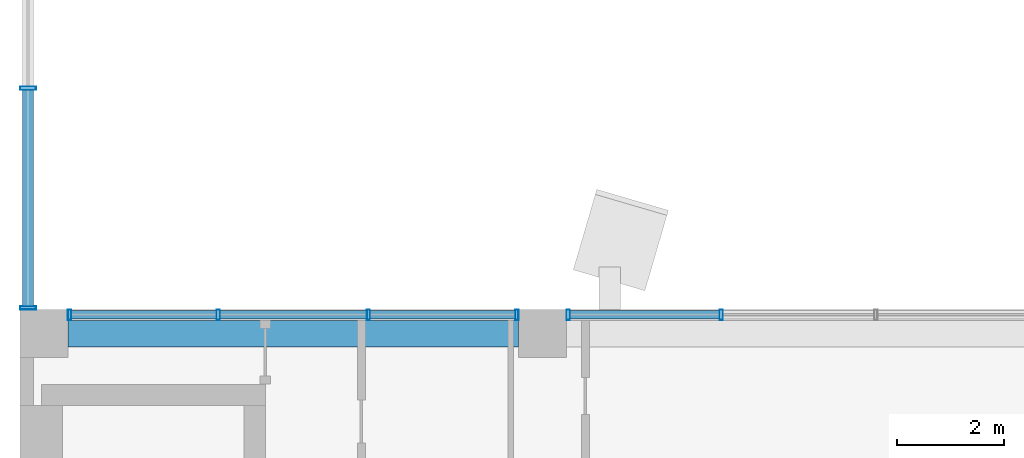
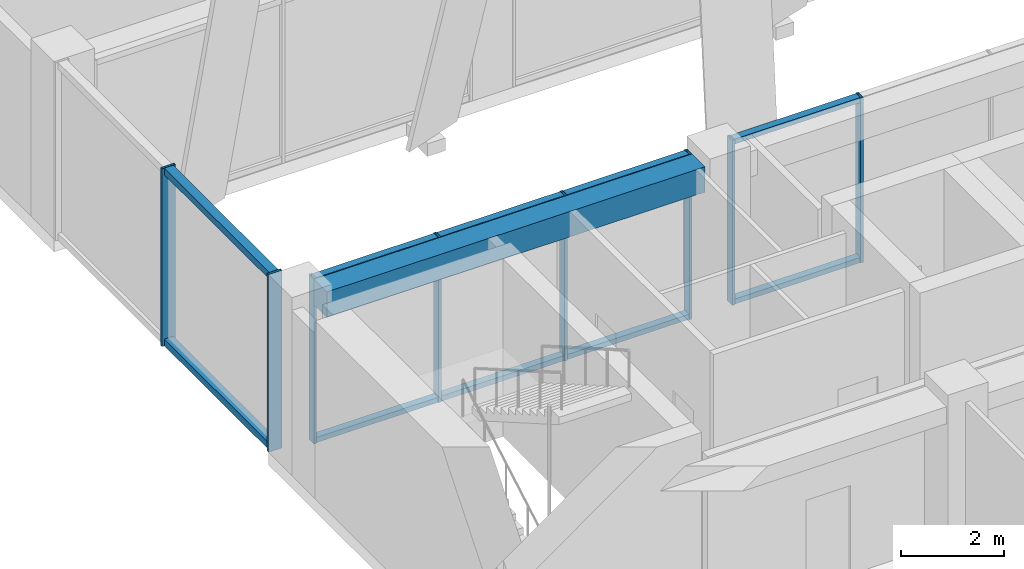
# One storey, part 6 of 38: 18 members, 1 beam, 3 elements without a shape of their own.
"""IFC4 building model written with IfcOpenShell, lengths in metres."""

from ifc_helpers import new_model, si_unit, direction, frame, origin, origin_2d, place, context, subcontext, project, spatial, rectangle, hollow_rectangle, extrude, material, layer, layer_set, material_profile, profile_set, type_object, element, aggregate, save


model = new_model("IFC4")

# Units and contexts
model_context = context("Model", 3, precision=1e-05, world=origin(), true_north=direction((0.0, 1.0)))
body_context = subcontext(model_context, "Body", "Model", "MODEL_VIEW")
ifc_project = project(units=[si_unit("LENGTHUNIT", "METRE"), si_unit("AREAUNIT", "SQUARE_METRE"), si_unit("VOLUMEUNIT", "CUBIC_METRE"), si_unit("PLANEANGLEUNIT", "RADIAN"), si_unit("MASSUNIT", "GRAM", prefix="KILO")], contexts=[model_context])

# Site, building, storey
site_placement = place(None, origin())
site = spatial("IfcSite", under=ifc_project, at=site_placement, CompositionType="ELEMENT")
building_placement = place(site_placement, origin())
building = spatial("IfcBuilding", under=site, at=building_placement, Name="Nzadi Deep Aquarium and Research Tower", CompositionType="ELEMENT")
storey_placement = place(building_placement, frame((0.0, 0.0, 52.89990234375)))
storey = spatial("IfcBuildingStorey", under=building, at=storey_placement, Name="L10", CompositionType="ELEMENT", Elevation=52.89990234375)

# Curtain wall, members
ifc_material_1 = material(Name="Aluminium unitised frame", Category="aluminium")
ifc_layer_1 = layer(ifc_material_1, 0.199951171875)
ifc_layer_set_1 = layer_set([ifc_layer_1], Name="Aluminium unitised frame")
curtain_wall_type_1 = type_object("IfcCurtainWallType", Name="Curtain wall Unitised 200", PredefinedType="NOTDEFINED", material=ifc_layer_set_1)
curtain_wall_1_placement = place(storey_placement, origin())
curtain_wall_1 = element("IfcCurtainWall", 1, at=curtain_wall_1_placement, inside=storey, type_object=curtain_wall_type_1, Name="Unitised curtain wall blade A north L10", PredefinedType="NOTDEFINED")
ifc_material_2 = material(Name="Aluminium unitised frame", Category="aluminium")
ifc_material_profile_1 = material_profile(ifc_material_2, hollow_rectangle(XDim=0.199951171875, YDim=0.06005859375, WallThickness=0.0048828125, at=origin_2d()))
ifc_profile_set_1 = profile_set([ifc_material_profile_1], Name="Aluminium unitised frame")
member_type_1 = type_object("IfcMemberType", Name="Mullion 60x200 Unitised", PredefinedType="MULLION", material=ifc_profile_set_1)
member_1_placement = place(storey_placement, frame((0.72998046875, 18.75, 0.0), z_axis=(0.0, 0.0, 1.0), x_axis=(0.0, 1.0, 0.0)))
member_1 = element("IfcMember", 2, at=member_1_placement, type_object=member_type_1, Name="CW037 mullion 1", PredefinedType="MULLION", context=body_context, shape_type="SweptSolid", body=[
    extrude(hollow_rectangle(XDim=0.199951171875, YDim=0.06005859375, WallThickness=0.0048828125, at=origin_2d()), origin(), (0.0, 0.0, 1.0), 3.900146484375),
])
member_2_placement = place(storey_placement, frame((3.5166015625, 18.75, 0.0), z_axis=(0.0, 0.0, 1.0), x_axis=(0.0, 1.0, 0.0)))
member_2 = element("IfcMember", 3, at=member_2_placement, type_object=member_type_1, Name="CW037 mullion 2", PredefinedType="MULLION", context=body_context, shape_type="SweptSolid", body=[
    extrude(hollow_rectangle(XDim=0.199951171875, YDim=0.06005859375, WallThickness=0.0048828125, at=origin_2d()), origin(), (0.0, 0.0, 1.0), 3.900146484375),
])
member_3_placement = place(storey_placement, frame((6.333251953125, 18.75, 0.0), z_axis=(0.0, 0.0, 1.0), x_axis=(0.0, 1.0, 0.0)))
member_3 = element("IfcMember", 4, at=member_3_placement, type_object=member_type_1, Name="CW037 mullion 3", PredefinedType="MULLION", context=body_context, shape_type="SweptSolid", body=[
    extrude(hollow_rectangle(XDim=0.199951171875, YDim=0.06005859375, WallThickness=0.0048828125, at=origin_2d()), origin(), (0.0, 0.0, 1.0), 3.900146484375),
])
member_4_placement = place(storey_placement, frame((9.1201171875, 18.75, 0.0), z_axis=(0.0, 0.0, 1.0), x_axis=(0.0, 1.0, 0.0)))
member_4 = element("IfcMember", 5, at=member_4_placement, type_object=member_type_1, Name="CW037 mullion 4", PredefinedType="MULLION", context=body_context, shape_type="SweptSolid", body=[
    extrude(hollow_rectangle(XDim=0.199951171875, YDim=0.06005859375, WallThickness=0.0048828125, at=origin_2d()), origin(), (0.0, 0.0, 1.0), 3.900146484375),
])

curtain_wall_2_placement = place(storey_placement, origin())
curtain_wall_2 = element("IfcCurtainWall", 6, at=curtain_wall_2_placement, inside=storey, type_object=curtain_wall_type_1, Name="Unitised curtain wall blade A north L10", PredefinedType="NOTDEFINED")
member_5_placement = place(storey_placement, frame((10.080078125, 18.75, 0.0), z_axis=(0.0, 0.0, 1.0), x_axis=(0.0, 1.0, 0.0)))
member_5 = element("IfcMember", 7, at=member_5_placement, type_object=member_type_1, Name="CW038 mullion 1", PredefinedType="MULLION", context=body_context, shape_type="SweptSolid", body=[
    extrude(hollow_rectangle(XDim=0.199951171875, YDim=0.06005859375, WallThickness=0.0048828125, at=origin_2d()), origin(), (0.0, 0.0, 1.0), 3.900146484375),
])
member_6_placement = place(storey_placement, frame((12.949951171875, 18.75, 0.0), z_axis=(0.0, 0.0, 1.0), x_axis=(0.0, 1.0, 0.0)))
member_6 = element("IfcMember", 8, at=member_6_placement, type_object=member_type_1, Name="CW038 mullion 2", PredefinedType="MULLION", context=body_context, shape_type="SweptSolid", body=[
    extrude(hollow_rectangle(XDim=0.199951171875, YDim=0.06005859375, WallThickness=0.0048828125, at=origin_2d()), origin(), (0.0, 0.0, 1.0), 3.900146484375),
])

ifc_material_3 = material(Name="Aluminium unitised frame wind post", Category="aluminium")
ifc_layer_2 = layer(ifc_material_3, 0.300048828125)
ifc_layer_set_2 = layer_set([ifc_layer_2], Name="Aluminium unitised frame wind post")
curtain_wall_type_2 = type_object("IfcCurtainWallType", Name="Curtain wall Slot End 300", PredefinedType="NOTDEFINED", material=ifc_layer_set_2)
curtain_wall_3_placement = place(storey_placement, origin())
curtain_wall_3 = element("IfcCurtainWall", 9, at=curtain_wall_3_placement, inside=storey, type_object=curtain_wall_type_2, Name="Glazed slot end west L10", PredefinedType="NOTDEFINED")
ifc_material_4 = material(Name="Aluminium unitised frame wind post", Category="aluminium")
ifc_material_profile_2 = material_profile(ifc_material_4, hollow_rectangle(XDim=0.300048828125, YDim=0.06005859375, WallThickness=0.0048828125, at=origin_2d()))
ifc_profile_set_2 = profile_set([ifc_material_profile_2], Name="Aluminium unitised frame wind post")
member_type_2 = type_object("IfcMemberType", Name="Mullion 60x300 Slot End", PredefinedType="MULLION", material=ifc_profile_set_2)
member_7_placement = place(storey_placement, frame((-0.049560546875, 18.8798828125, 0.0), z_axis=(0.0, 0.0, 1.0), x_axis=(-1.0, 0.0, 0.0)))
member_7 = element("IfcMember", 10, at=member_7_placement, type_object=member_type_2, Name="CW211 mullion 1", PredefinedType="MULLION", context=body_context, shape_type="SweptSolid", body=[
    extrude(hollow_rectangle(XDim=0.300048828125, YDim=0.06005859375, WallThickness=0.0048828125, at=origin_2d()), origin(), (0.0, 0.0, 1.0), 4.2001953125),
])
member_8_placement = place(storey_placement, frame((-0.049560546875, 23.0, 0.0), z_axis=(0.0, 0.0, 1.0), x_axis=(-1.0, 0.0, 0.0)))
member_8 = element("IfcMember", 11, at=member_8_placement, type_object=member_type_2, Name="CW211 mullion 2", PredefinedType="MULLION", context=body_context, shape_type="SweptSolid", body=[
    extrude(hollow_rectangle(XDim=0.300048828125, YDim=0.06005859375, WallThickness=0.0048828125, at=origin_2d()), origin(), (0.0, 0.0, 1.0), 4.2001953125),
])

# Beam
ifc_material_5 = material(Name="Concrete C35/45", Category="concrete")
ifc_material_profile_3 = material_profile(ifc_material_5, rectangle(XDim=0.5, YDim=0.60009765625, at=origin_2d()))
ifc_profile_set_3 = profile_set([ifc_material_profile_3], Name="Concrete C35/45")
beam_type = type_object("IfcBeamType", Name="RC 500x600", PredefinedType="BEAM", material=ifc_profile_set_3)
beam_placement = place(storey_placement, frame((0.699951171875, 18.39990234375, 3.60009765625), z_axis=(1.0, 0.0, 0.0), x_axis=(0.0, 1.0, 0.0)))
element("IfcBeam", 12, at=beam_placement, inside=storey, type_object=beam_type, Name="B-Z1-L10-L3-1", PredefinedType="BEAM", context=body_context, shape_type="SweptSolid", body=[
    extrude(rectangle(XDim=0.5, YDim=0.60009765625, at=origin_2d()), origin(), (0.0, 0.0, 1.0), 8.449951171875),
])

# Member
ifc_material_6 = material(Name="Aluminium unitised frame", Category="aluminium")
ifc_material_profile_4 = material_profile(ifc_material_6, hollow_rectangle(XDim=0.159912109375, YDim=0.1201171875, WallThickness=0.0048828125, at=origin_2d()))
ifc_profile_set_4 = profile_set([ifc_material_profile_4], Name="Aluminium unitised frame")
member_type_3 = type_object("IfcMemberType", Name="Transom 120x160 Unitised", PredefinedType="MULLION", material=ifc_profile_set_4)
member_9_placement = place(storey_placement, frame((0.760009765625, 18.75, 0.06005859375), z_axis=(1.0, 0.0, 0.0), x_axis=(0.0, 1.0, 0.0)))
member_9 = element("IfcMember", 13, at=member_9_placement, type_object=member_type_3, Name="CW037 transom 1.1", PredefinedType="MULLION", context=body_context, shape_type="SweptSolid", body=[
    extrude(hollow_rectangle(XDim=0.159912109375, YDim=0.1201171875, WallThickness=0.0048828125, at=origin_2d()), origin(), (0.0, 0.0, 1.0), 2.7265625),
])

member_10_placement = place(storey_placement, frame((0.760009765625, 18.75, 3.840087890625), z_axis=(1.0, 0.0, 0.0), x_axis=(0.0, 1.0, 0.0)))
member_10 = element("IfcMember", 14, at=member_10_placement, type_object=member_type_3, Name="CW037 transom 1.2", PredefinedType="MULLION", context=body_context, shape_type="SweptSolid", body=[
    extrude(hollow_rectangle(XDim=0.159912109375, YDim=0.1201171875, WallThickness=0.0048828125, at=origin_2d()), origin(), (0.0, 0.0, 1.0), 2.7265625),
])

member_11_placement = place(storey_placement, frame((3.546630859375, 18.75, 0.06005859375), z_axis=(1.0, 0.0, 0.0), x_axis=(0.0, 1.0, 0.0)))
member_11 = element("IfcMember", 15, at=member_11_placement, type_object=member_type_3, Name="CW037 transom 2.1", PredefinedType="MULLION", context=body_context, shape_type="SweptSolid", body=[
    extrude(hollow_rectangle(XDim=0.159912109375, YDim=0.1201171875, WallThickness=0.0048828125, at=origin_2d()), origin(), (0.0, 0.0, 1.0), 2.756591796875),
])

member_12_placement = place(storey_placement, frame((3.546630859375, 18.75, 3.840087890625), z_axis=(1.0, 0.0, 0.0), x_axis=(0.0, 1.0, 0.0)))
member_12 = element("IfcMember", 16, at=member_12_placement, type_object=member_type_3, Name="CW037 transom 2.2", PredefinedType="MULLION", context=body_context, shape_type="SweptSolid", body=[
    extrude(hollow_rectangle(XDim=0.159912109375, YDim=0.1201171875, WallThickness=0.0048828125, at=origin_2d()), origin(), (0.0, 0.0, 1.0), 2.756591796875),
])

member_13_placement = place(storey_placement, frame((6.36328125, 18.75, 0.06005859375), z_axis=(1.0, 0.0, 0.0), x_axis=(0.0, 1.0, 0.0)))
member_13 = element("IfcMember", 17, at=member_13_placement, type_object=member_type_3, Name="CW037 transom 3.1", PredefinedType="MULLION", context=body_context, shape_type="SweptSolid", body=[
    extrude(hollow_rectangle(XDim=0.159912109375, YDim=0.1201171875, WallThickness=0.0048828125, at=origin_2d()), origin(), (0.0, 0.0, 1.0), 2.726806640625),
])

member_14_placement = place(storey_placement, frame((6.36328125, 18.75, 3.840087890625), z_axis=(1.0, 0.0, 0.0), x_axis=(0.0, 1.0, 0.0)))
member_14 = element("IfcMember", 18, at=member_14_placement, type_object=member_type_3, Name="CW037 transom 3.2", PredefinedType="MULLION", context=body_context, shape_type="SweptSolid", body=[
    extrude(hollow_rectangle(XDim=0.159912109375, YDim=0.1201171875, WallThickness=0.0048828125, at=origin_2d()), origin(), (0.0, 0.0, 1.0), 2.726806640625),
])

aggregate(curtain_wall_1, [member_1, member_2, member_3, member_4, member_9, member_10, member_11, member_12, member_13, member_14])

member_15_placement = place(storey_placement, frame((10.110107421875, 18.75, 0.06005859375), z_axis=(1.0, 0.0, 0.0), x_axis=(0.0, 1.0, 0.0)))
member_15 = element("IfcMember", 19, at=member_15_placement, type_object=member_type_3, Name="CW038 transom 1.1", PredefinedType="MULLION", context=body_context, shape_type="SweptSolid", body=[
    extrude(hollow_rectangle(XDim=0.159912109375, YDim=0.1201171875, WallThickness=0.0048828125, at=origin_2d()), origin(), (0.0, 0.0, 1.0), 2.809814453125),
])

member_16_placement = place(storey_placement, frame((10.110107421875, 18.75, 3.840087890625), z_axis=(1.0, 0.0, 0.0), x_axis=(0.0, 1.0, 0.0)))
member_16 = element("IfcMember", 20, at=member_16_placement, type_object=member_type_3, Name="CW038 transom 1.2", PredefinedType="MULLION", context=body_context, shape_type="SweptSolid", body=[
    extrude(hollow_rectangle(XDim=0.159912109375, YDim=0.1201171875, WallThickness=0.0048828125, at=origin_2d()), origin(), (0.0, 0.0, 1.0), 2.809814453125),
])

aggregate(curtain_wall_2, [member_5, member_6, member_15, member_16])

ifc_material_7 = material(Name="Aluminium unitised frame wind post", Category="aluminium")
ifc_material_profile_5 = material_profile(ifc_material_7, hollow_rectangle(XDim=0.199951171875, YDim=0.159912109375, WallThickness=0.0048828125, at=origin_2d()))
ifc_profile_set_5 = profile_set([ifc_material_profile_5], Name="Aluminium unitised frame wind post")
member_type_4 = type_object("IfcMemberType", Name="Transom 160x200 Slot End", PredefinedType="MULLION", material=ifc_profile_set_5)
member_17_placement = place(storey_placement, frame((-0.050048828125, 18.909912109375, 0.080078125), z_axis=(0.0, 1.0, 0.0), x_axis=(-1.0, 0.0, 0.0)))
member_17 = element("IfcMember", 21, at=member_17_placement, type_object=member_type_4, Name="CW211 transom 1.1", PredefinedType="MULLION", context=body_context, shape_type="SweptSolid", body=[
    extrude(hollow_rectangle(XDim=0.199951171875, YDim=0.159912109375, WallThickness=0.0048828125, at=origin_2d()), origin(), (0.0, 0.0, 1.0), 4.06005859375),
])

member_18_placement = place(storey_placement, frame((-0.050048828125, 18.909912109375, 4.1201171875), z_axis=(0.0, 1.0, 0.0), x_axis=(-1.0, 0.0, 0.0)))
member_18 = element("IfcMember", 22, at=member_18_placement, type_object=member_type_4, Name="CW211 transom 1.2", PredefinedType="MULLION", context=body_context, shape_type="SweptSolid", body=[
    extrude(hollow_rectangle(XDim=0.199951171875, YDim=0.159912109375, WallThickness=0.0048828125, at=origin_2d()), origin(), (0.0, 0.0, 1.0), 4.06005859375),
])

aggregate(curtain_wall_3, [member_7, member_8, member_17, member_18])

save(model, "model.ifc")
